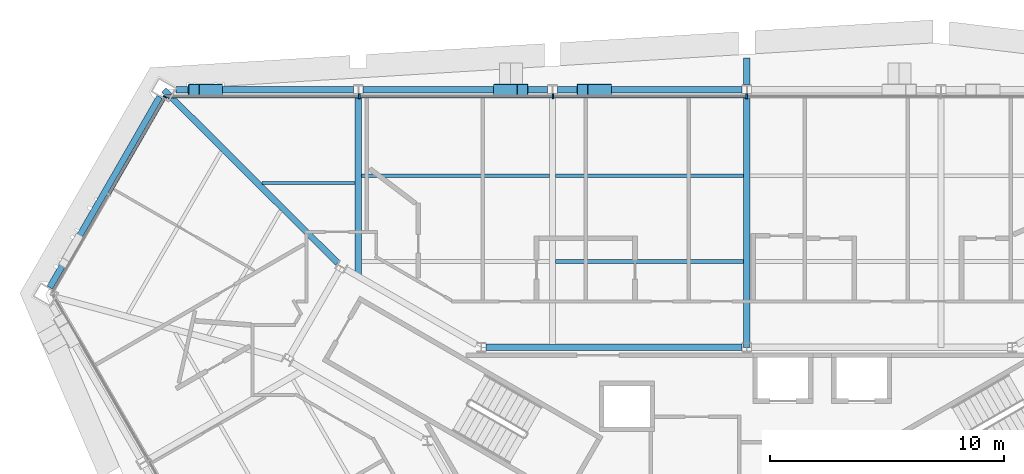
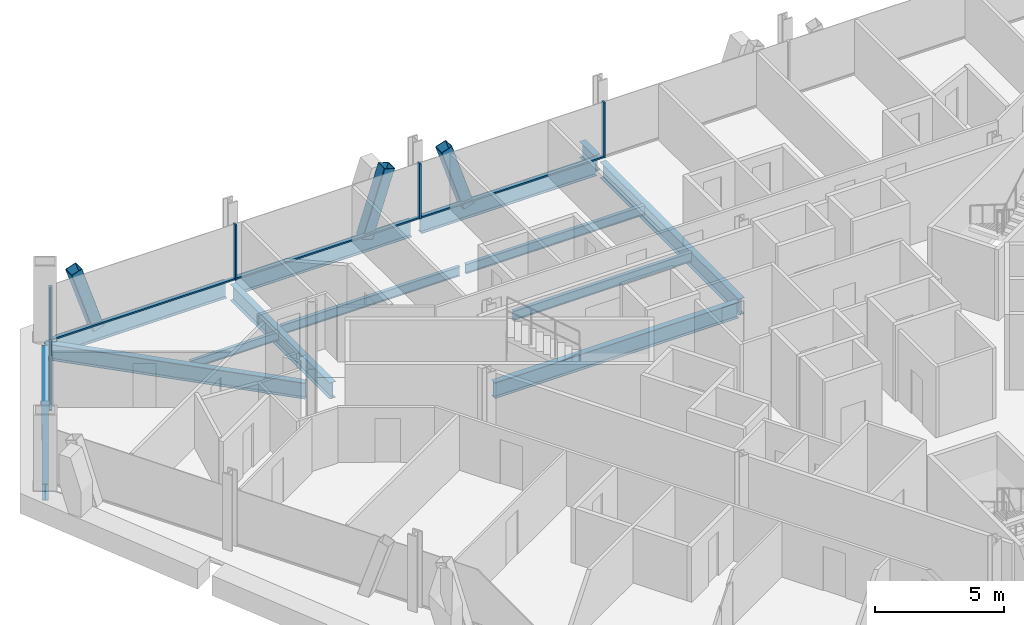
# One storey, part 7 of 17: 13 beams, 11 members, 2 elements without a shape of their own.
"""IFC4 building model written with IfcOpenShell, lengths in metres."""

from ifc_helpers import new_model, si_unit, direction, frame, origin, origin_2d, place, context, subcontext, project, spatial, rectangle, hollow_rectangle, i_section, extrude, material, material_profile, profile_set, type_object, element, aggregate, save


model = new_model("IFC4")

# Units and contexts
model_context = context("Model", 3, precision=1e-05, world=origin(), true_north=direction((0.0, 1.0)))
body_context = subcontext(model_context, "Body", "Model", "MODEL_VIEW")
ifc_project = project(units=[si_unit("LENGTHUNIT", "METRE"), si_unit("AREAUNIT", "SQUARE_METRE"), si_unit("VOLUMEUNIT", "CUBIC_METRE"), si_unit("PLANEANGLEUNIT", "RADIAN"), si_unit("MASSUNIT", "GRAM", prefix="KILO")], contexts=[model_context])

# Site, building, storey
site_placement = place(None, origin())
site = spatial("IfcSite", under=ifc_project, at=site_placement, CompositionType="ELEMENT")
building_placement = place(site_placement, origin())
building = spatial("IfcBuilding", under=site, at=building_placement, Name="Verrane Prism Tower", CompositionType="ELEMENT")
storey_placement = place(building_placement, frame((0.0, 0.0, 136.0)))
storey = spatial("IfcBuildingStorey", under=building, at=storey_placement, Name="L33", CompositionType="ELEMENT", Elevation=136.0)

# Beams
ifc_material_1 = material(Name="Steel A992", Category="steel")
ifc_material_profile_1 = material_profile(ifc_material_1, i_section(OverallWidth=0.2666015625, OverallDepth=0.76708984375, WebThickness=0.014892578125, FlangeThickness=0.023681640625, FilletRadius=0.0166015625, at=origin_2d()), Name="W30x124")
ifc_profile_set_1 = profile_set([ifc_material_profile_1], Name="Steel A992")
beam_type_1 = type_object("IfcBeamType", Name="Chamfer spandrel beam W30x124", PredefinedType="SPANDREL", material=ifc_profile_set_1)
beam_1_placement = place(storey_placement, frame((-25.0546875, 19.88671875, -0.54345703125), z_axis=(-0.499562619687, -0.866277778205, 0.0), x_axis=(0.866277778205, -0.499562619687, 0.0)))
element("IfcBeam", 1, at=beam_1_placement, inside=storey, type_object=beam_type_1, Name="Chamfer spandrel beam L33", PredefinedType="SPANDREL", context=body_context, shape_type="SweptSolid", body=[
    extrude(i_section(OverallWidth=0.2666015625, OverallDepth=0.76708984375, WebThickness=0.014892578125, FlangeThickness=0.023681640625, FilletRadius=0.0166015625, at=origin_2d()), origin(), (0.0, 0.0, 1.0), 9.38916015625),
])
ifc_material_2 = material(Name="Steel A992", Category="steel")
ifc_material_profile_2 = material_profile(ifc_material_2, i_section(OverallWidth=0.2666015625, OverallDepth=0.7568359375, WebThickness=0.013916015625, FlangeThickness=0.019287109375, FilletRadius=0.0166015625, at=origin_2d()), Name="W30x108")
ifc_profile_set_2 = profile_set([ifc_material_profile_2], Name="Steel A992")
beam_type_2 = type_object("IfcBeamType", Name="Core ring girder W30x108", PredefinedType="BEAM", material=ifc_profile_set_2)
beam_2_placement = place(storey_placement, frame((-0.20068359375, 9.199951171875, -0.62841796875), z_axis=(-1.0, 0.0, 0.0), x_axis=(0.0, -1.0, 0.0)))
element("IfcBeam", 2, at=beam_2_placement, inside=storey, type_object=beam_type_2, Name="Core ring girder L33", PredefinedType="BEAM", context=body_context, shape_type="SweptSolid", body=[
    extrude(i_section(OverallWidth=0.2666015625, OverallDepth=0.7568359375, WebThickness=0.013916015625, FlangeThickness=0.019287109375, FilletRadius=0.0166015625, at=origin_2d()), origin(), (0.0, 0.0, 1.0), 10.9287109375),
])
ifc_material_3 = material(Name="Steel A992", Category="steel")
ifc_material_profile_3 = material_profile(ifc_material_3, i_section(OverallWidth=0.2666015625, OverallDepth=0.76708984375, WebThickness=0.014892578125, FlangeThickness=0.023681640625, FilletRadius=0.0166015625, at=origin_2d()), Name="W30x124")
ifc_profile_set_3 = profile_set([ifc_material_profile_3], Name="Steel A992")
beam_type_3 = type_object("IfcBeamType", Name="Corner girder W30x124", PredefinedType="BEAM", material=ifc_profile_set_3)
beam_3_placement = place(storey_placement, frame((-24.87744140625, 20.1875, -0.603515625), z_axis=(0.708504451499, -0.705706342756, 0.0), x_axis=(0.705706342756, 0.708504451499, 0.0)))
element("IfcBeam", 3, at=beam_3_placement, inside=storey, type_object=beam_type_3, Name="Corner girder L33", PredefinedType="BEAM", context=body_context, shape_type="SweptSolid", body=[
    extrude(i_section(OverallWidth=0.2666015625, OverallDepth=0.76708984375, WebThickness=0.014892578125, FlangeThickness=0.023681640625, FilletRadius=0.0166015625, at=origin_2d()), origin(), (0.0, 0.0, 1.0), 10.47021484375),
])

# Members
ifc_material_4 = material(Name="Steel A1085 Grade A", Category="steel")
ifc_material_profile_4 = material_profile(ifc_material_4, hollow_rectangle(XDim=0.508056640625, YDim=0.508056640625, WallThickness=0.025390625, InnerFilletRadius=0.0126953125, OuterFilletRadius=0.0380859375, at=origin_2d()), Name="HSS20x20x1")
ifc_profile_set_4 = profile_set([ifc_material_profile_4], Name="Steel A1085 Grade A")
member_type_1 = type_object("IfcMemberType", Name="Facade brace HSS20x20x1", PredefinedType="BRACE", material=ifc_profile_set_4)
member_1_placement = place(storey_placement, frame((-6.018798828125, 20.18994140625, -0.24267578125), z_axis=(-0.312455451488, 0.0, 0.949932413825), x_axis=(0.0, -1.0, 0.0)))
element("IfcMember", 4, at=member_1_placement, inside=storey, type_object=member_type_1, Name="Facade brace N3 L33", PredefinedType="BRACE", context=body_context, shape_type="SweptSolid", body=[
    extrude(hollow_rectangle(XDim=0.508056640625, YDim=0.508056640625, WallThickness=0.025390625, InnerFilletRadius=0.0126953125, OuterFilletRadius=0.0380859375, at=origin_2d()), origin(), (0.0, 0.0, 1.0), 3.166748046875),
])
member_2_placement = place(storey_placement, frame((-10.561279296875, 20.18994140625, -0.24267578125), z_axis=(0.312525014956, 0.0, 0.949909529917), x_axis=(0.0, 1.0, 0.0)))
element("IfcMember", 5, at=member_2_placement, inside=storey, type_object=member_type_1, Name="Facade brace N4 L33", PredefinedType="BRACE", context=body_context, shape_type="SweptSolid", body=[
    extrude(hollow_rectangle(XDim=0.508056640625, YDim=0.508056640625, WallThickness=0.025390625, InnerFilletRadius=0.0126953125, OuterFilletRadius=0.0380859375, at=origin_2d()), origin(), (0.0, 0.0, 1.0), 3.1669921875),
])
member_3_placement = place(storey_placement, frame((-22.60595703125, 20.18994140625, -0.24267578125), z_axis=(-0.312803218543, 0.0, 0.949817954383), x_axis=(0.0, -1.0, 0.0)))
element("IfcMember", 6, at=member_3_placement, inside=storey, type_object=member_type_1, Name="Facade brace N5 L33", PredefinedType="BRACE", context=body_context, shape_type="SweptSolid", body=[
    extrude(hollow_rectangle(XDim=0.508056640625, YDim=0.508056640625, WallThickness=0.025390625, InnerFilletRadius=0.0126953125, OuterFilletRadius=0.0380859375, at=origin_2d()), origin(), (0.0, 0.0, 1.0), 3.167236328125),
])

# Beams
ifc_material_5 = material(Name="Steel A992", Category="steel")
ifc_material_profile_5 = material_profile(ifc_material_5, i_section(OverallWidth=0.140380859375, OverallDepth=0.40380859375, WebThickness=0.007080078125, FlangeThickness=0.01123046875, FilletRadius=0.01025390625, at=origin_2d()), Name="W16x31")
ifc_profile_set_5 = profile_set([ifc_material_profile_5], Name="Steel A992")
beam_type_4 = type_object("IfcBeamType", Name="Floor beam W16x31", PredefinedType="BEAM", material=ifc_profile_set_5)
beam_4_placement = place(storey_placement, frame((-20.695068359375, 16.2099609375, -0.36181640625), z_axis=(1.0, 0.0, 0.0), x_axis=(0.0, 1.0, 0.0)))
element("IfcBeam", 7, at=beam_4_placement, inside=storey, type_object=beam_type_4, Name="Floor beam L33", PredefinedType="BEAM", context=body_context, shape_type="SweptSolid", body=[
    extrude(i_section(OverallWidth=0.140380859375, OverallDepth=0.40380859375, WebThickness=0.007080078125, FlangeThickness=0.01123046875, FilletRadius=0.01025390625, at=origin_2d()), origin(), (0.0, 0.0, 1.0), 3.981689453125),
])
ifc_material_6 = material(Name="Steel A992", Category="steel")
ifc_material_profile_6 = material_profile(ifc_material_6, i_section(OverallWidth=0.15234375, OverallDepth=0.449462890625, WebThickness=0.007568359375, FlangeThickness=0.0107421875, FilletRadius=0.01025390625, at=origin_2d()), Name="W18x35")
ifc_profile_set_6 = profile_set([ifc_material_profile_6], Name="Steel A992")
beam_type_5 = type_object("IfcBeamType", Name="Floor beam W18x35", PredefinedType="BEAM", material=ifc_profile_set_6)
for number, where, z_axis, x_axis, name in (
    (8, (-8.156494140625, 12.86328125, -0.384765625), (1.0, 0.0, 0.0), (0.0, 1.0, 0.0), "Floor beam L33"),
    (9, (-8.156494140625, 16.526611328125, -0.384765625), (1.0, 0.0, 0.0), (0.0, 1.0, 0.0), "Floor beam L33"),
    (10, (-16.446533203125, 16.526611328125, -0.384765625), (1.0, 0.0, 0.0), (0.0, 1.0, 0.0), "Floor beam L33"),
):
    element("IfcBeam", number, at=place(storey_placement, frame(where, z_axis=z_axis, x_axis=x_axis)), inside=storey, type_object=beam_type_5, Name=name, PredefinedType="BEAM", context=body_context, shape_type="SweptSolid", body=[
        extrude(i_section(OverallWidth=0.15234375, OverallDepth=0.449462890625, WebThickness=0.007568359375, FlangeThickness=0.0107421875, FilletRadius=0.01025390625, at=origin_2d()), origin(), (0.0, 0.0, 1.0), 8.02294921875),
    ])

# Curtain wall, member
ifc_material_7 = material(Name="Aluminium framed insulated glazing", Category="aluminium")
curtain_wall_type_1 = type_object("IfcCurtainWallType", Name="Curtain wall CW-B 5600 module", PredefinedType="NOTDEFINED", material=ifc_material_7)
curtain_wall_1_placement = place(storey_placement, origin())
curtain_wall_1 = element("IfcCurtainWall", 11, at=curtain_wall_1_placement, inside=storey, type_object=curtain_wall_type_1, Name="Glazed curtain wall north-west corner L33", PredefinedType="NOTDEFINED")
ifc_material_8 = material(Name="Aluminium alloy 6063-T6", Category="aluminium")
ifc_material_profile_7 = material_profile(ifc_material_8, rectangle(XDim=0.159912109375, YDim=0.06005859375, at=origin_2d()), Name="Mullion 60x160 aluminium")
ifc_profile_set_7 = profile_set([ifc_material_profile_7], Name="Aluminium alloy 6063-T6")
member_type_2 = type_object("IfcMemberType", Name="Mullion 60x160 aluminium", PredefinedType="MULLION", material=ifc_profile_set_7)
member_4_placement = place(storey_placement, frame((-24.818115234375, 19.885009765625, 0.0), z_axis=(0.0, 0.0, 1.0), x_axis=(0.866027551544, -0.499996279953, 0.0)))
member_4 = element("IfcMember", 12, at=member_4_placement, type_object=member_type_2, Name="CW32.3 mullion 1", PredefinedType="MULLION", context=body_context, shape_type="SweptSolid", body=[
    extrude(rectangle(XDim=0.159912109375, YDim=0.06005859375, at=origin_2d()), origin(), (0.0, 0.0, 1.0), 2.61279296875),
])

# Curtain wall, members
ifc_material_9 = material(Name="Aluminium framed insulated glazing", Category="aluminium")
curtain_wall_type_2 = type_object("IfcCurtainWallType", Name="Curtain wall CW-A 8400 module", PredefinedType="NOTDEFINED", material=ifc_material_9)
curtain_wall_2_placement = place(storey_placement, origin())
curtain_wall_2 = element("IfcCurtainWall", 13, at=curtain_wall_2_placement, inside=storey, type_object=curtain_wall_type_2, Name="Glazed curtain wall north face L33", PredefinedType="NOTDEFINED")
ifc_material_10 = material(Name="Aluminium alloy 6063-T6", Category="aluminium")
ifc_material_profile_8 = material_profile(ifc_material_10, rectangle(XDim=0.199951171875, YDim=0.070068359375, at=origin_2d()), Name="Mullion 70x200 aluminium")
ifc_profile_set_8 = profile_set([ifc_material_profile_8], Name="Aluminium alloy 6063-T6")
member_type_3 = type_object("IfcMemberType", Name="Mullion 70x200 aluminium", PredefinedType="MULLION", material=ifc_profile_set_8)
member_5_placement = place(storey_placement, frame((0.0, 19.910888671875, 0.0), z_axis=(0.0, 0.0, 1.0), x_axis=(0.0, -1.0, 0.0)))
member_5 = element("IfcMember", 14, at=member_5_placement, type_object=member_type_3, Name="CW32.2 mullion 4", PredefinedType="MULLION", context=body_context, shape_type="SweptSolid", body=[
    extrude(rectangle(XDim=0.199951171875, YDim=0.070068359375, at=origin_2d()), origin(), (0.0, 0.0, 1.0), 2.61279296875),
])
member_6_placement = place(storey_placement, frame((-8.267578125, 19.910888671875, 0.0), z_axis=(0.0, 0.0, 1.0), x_axis=(0.0, -1.0, 0.0)))
member_6 = element("IfcMember", 15, at=member_6_placement, type_object=member_type_3, Name="CW32.2 mullion 5", PredefinedType="MULLION", context=body_context, shape_type="SweptSolid", body=[
    extrude(rectangle(XDim=0.199951171875, YDim=0.070068359375, at=origin_2d()), origin(), (0.0, 0.0, 1.0), 2.61279296875),
])
member_7_placement = place(storey_placement, frame((-16.535400390625, 19.910888671875, 0.0), z_axis=(0.0, 0.0, 1.0), x_axis=(0.0, -1.0, 0.0)))
member_7 = element("IfcMember", 16, at=member_7_placement, type_object=member_type_3, Name="CW32.2 mullion 6", PredefinedType="MULLION", context=body_context, shape_type="SweptSolid", body=[
    extrude(rectangle(XDim=0.199951171875, YDim=0.070068359375, at=origin_2d()), origin(), (0.0, 0.0, 1.0), 2.61279296875),
])

# Beams
ifc_material_11 = material(Name="Steel A992", Category="steel")
ifc_material_profile_9 = material_profile(ifc_material_11, i_section(OverallWidth=0.2666015625, OverallDepth=0.76708984375, WebThickness=0.014892578125, FlangeThickness=0.023681640625, FilletRadius=0.0166015625, at=origin_2d()), Name="W30x124")
ifc_profile_set_9 = profile_set([ifc_material_profile_9], Name="Steel A992")
beam_type_6 = type_object("IfcBeamType", Name="Radial girder W30x124", PredefinedType="BEAM", material=ifc_profile_set_9)
beam_5_placement = place(storey_placement, frame((0.0, 19.962646484375, -0.603515625), z_axis=(0.0, -1.0, 0.0), x_axis=(1.0, 0.0, 0.0)))
element("IfcBeam", 17, at=beam_5_placement, inside=storey, type_object=beam_type_6, Name="Radial girder L33", PredefinedType="BEAM", context=body_context, shape_type="SweptSolid", body=[
    extrude(i_section(OverallWidth=0.2666015625, OverallDepth=0.76708984375, WebThickness=0.014892578125, FlangeThickness=0.023681640625, FilletRadius=0.0166015625, at=origin_2d()), origin(), (0.0, 0.0, 1.0), 10.7626953125),
])
beam_6_placement = place(storey_placement, frame((-16.580078125, 19.962646484375, -0.603515625), z_axis=(0.0, -1.0, 0.0), x_axis=(1.0, 0.0, 0.0)))
element("IfcBeam", 18, at=beam_6_placement, inside=storey, type_object=beam_type_6, Name="Radial girder L33", PredefinedType="BEAM", context=body_context, shape_type="SweptSolid", body=[
    extrude(i_section(OverallWidth=0.2666015625, OverallDepth=0.76708984375, WebThickness=0.014892578125, FlangeThickness=0.023681640625, FilletRadius=0.0166015625, at=origin_2d()), origin(), (0.0, 0.0, 1.0), 7.737548828125),
])
beam_7_placement = place(storey_placement, frame((0.0, 20.413330078125, -0.603515625), z_axis=(0.0, 1.0, 0.0), x_axis=(-1.0, 0.0, 0.0)))
element("IfcBeam", 19, at=beam_7_placement, inside=storey, type_object=beam_type_6, Name="Cantilever girder L33", PredefinedType="BEAM", context=body_context, shape_type="SweptSolid", body=[
    extrude(i_section(OverallWidth=0.2666015625, OverallDepth=0.76708984375, WebThickness=0.014892578125, FlangeThickness=0.023681640625, FilletRadius=0.0166015625, at=origin_2d()), origin(), (0.0, 0.0, 1.0), 1.138427734375),
])
ifc_material_12 = material(Name="Steel A992", Category="steel")
ifc_material_profile_10 = material_profile(ifc_material_12, i_section(OverallWidth=0.2666015625, OverallDepth=0.7568359375, WebThickness=0.013916015625, FlangeThickness=0.019287109375, FilletRadius=0.0166015625, at=origin_2d()), Name="W30x108")
ifc_profile_set_10 = profile_set([ifc_material_profile_10], Name="Steel A992")
beam_type_7 = type_object("IfcBeamType", Name="Spandrel beam W30x108", PredefinedType="SPANDREL", material=ifc_profile_set_10)
for number, where, z_axis, x_axis, name in (
    (20, (-0.20947265625, 20.18994140625, -0.53857421875), (-1.0, 0.0, 0.0), (0.0, -1.0, 0.0), "Spandrel beam L33"),
    (21, (-8.49951171875, 20.18994140625, -0.53857421875), (-1.0, 0.0, 0.0), (0.0, -1.0, 0.0), "Spandrel beam L33"),
):
    element("IfcBeam", number, at=place(storey_placement, frame(where, z_axis=z_axis, x_axis=x_axis)), inside=storey, type_object=beam_type_7, Name=name, PredefinedType="SPANDREL", context=body_context, shape_type="SweptSolid", body=[
        extrude(i_section(OverallWidth=0.2666015625, OverallDepth=0.7568359375, WebThickness=0.013916015625, FlangeThickness=0.019287109375, FilletRadius=0.0166015625, at=origin_2d()), origin(), (0.0, 0.0, 1.0), 7.870849609375),
    ])
beam_8_placement = place(storey_placement, frame((-16.78955078125, 20.18994140625, -0.53857421875), z_axis=(-1.0, 0.0, 0.0), x_axis=(0.0, -1.0, 0.0)))
element("IfcBeam", 22, at=beam_8_placement, inside=storey, type_object=beam_type_7, Name="Spandrel beam L33", PredefinedType="SPANDREL", context=body_context, shape_type="SweptSolid", body=[
    extrude(i_section(OverallWidth=0.2666015625, OverallDepth=0.7568359375, WebThickness=0.013916015625, FlangeThickness=0.019287109375, FilletRadius=0.0166015625, at=origin_2d()), origin(), (0.0, 0.0, 1.0), 7.57080078125),
])

# Member
ifc_material_13 = material(Name="Aluminium alloy 6063-T6", Category="aluminium")
ifc_material_profile_11 = material_profile(ifc_material_13, rectangle(XDim=0.1201171875, YDim=0.06005859375, at=origin_2d()), Name="Transom 60x120 aluminium")
ifc_profile_set_11 = profile_set([ifc_material_profile_11], Name="Aluminium alloy 6063-T6")
member_type_4 = type_object("IfcMemberType", Name="Transom 60x120 aluminium", PredefinedType="USERDEFINED", material=ifc_profile_set_11)
member_8_placement = place(storey_placement, frame((-24.8330078125, 19.859130859375, 0.030029296875), z_axis=(-0.499984838248, -0.866034157249, 0.0), x_axis=(0.866034157249, -0.499984838248, 0.0)))
member_8 = element("IfcMember", 23, at=member_8_placement, type_object=member_type_4, Name="CW32.3 transom 1", ObjectType="TRANSOM", PredefinedType="USERDEFINED", context=body_context, shape_type="SweptSolid", body=[
    extrude(rectangle(XDim=0.1201171875, YDim=0.06005859375, at=origin_2d()), origin(), (0.0, 0.0, 1.0), 4.752197265625),
])

aggregate(curtain_wall_1, [member_4, member_8])

ifc_material_14 = material(Name="Aluminium alloy 6063-T6", Category="aluminium")
ifc_material_profile_12 = material_profile(ifc_material_14, rectangle(XDim=0.14990234375, YDim=0.070068359375, at=origin_2d()), Name="Transom 70x150 aluminium")
ifc_profile_set_12 = profile_set([ifc_material_profile_12], Name="Aluminium alloy 6063-T6")
member_type_5 = type_object("IfcMemberType", Name="Transom 70x150 aluminium", PredefinedType="USERDEFINED", material=ifc_profile_set_12)
member_9_placement = place(storey_placement, frame((-0.034912109375, 19.910888671875, 0.034912109375), z_axis=(-1.0, 0.0, 0.0), x_axis=(0.0, -1.0, 0.0)))
member_9 = element("IfcMember", 24, at=member_9_placement, type_object=member_type_5, Name="CW32.2 transom 4", ObjectType="TRANSOM", PredefinedType="USERDEFINED", context=body_context, shape_type="SweptSolid", body=[
    extrude(rectangle(XDim=0.14990234375, YDim=0.070068359375, at=origin_2d()), origin(), (0.0, 0.0, 1.0), 8.19775390625),
])

member_10_placement = place(storey_placement, frame((-8.302734375, 19.910888671875, 0.034912109375), z_axis=(-1.0, 0.0, 0.0), x_axis=(0.0, -1.0, 0.0)))
member_10 = element("IfcMember", 25, at=member_10_placement, type_object=member_type_5, Name="CW32.2 transom 5", ObjectType="TRANSOM", PredefinedType="USERDEFINED", context=body_context, shape_type="SweptSolid", body=[
    extrude(rectangle(XDim=0.14990234375, YDim=0.070068359375, at=origin_2d()), origin(), (0.0, 0.0, 1.0), 8.197509765625),
])

member_11_placement = place(storey_placement, frame((-16.5703125, 19.910888671875, 0.034912109375), z_axis=(-1.0, 0.0, 0.0), x_axis=(0.0, -1.0, 0.0)))
member_11 = element("IfcMember", 26, at=member_11_placement, type_object=member_type_5, Name="CW32.2 transom 6", ObjectType="TRANSOM", PredefinedType="USERDEFINED", context=body_context, shape_type="SweptSolid", body=[
    extrude(rectangle(XDim=0.14990234375, YDim=0.070068359375, at=origin_2d()), origin(), (0.0, 0.0, 1.0), 8.232666015625),
])

aggregate(curtain_wall_2, [member_5, member_6, member_7, member_9, member_10, member_11])

save(model, "model.ifc")
